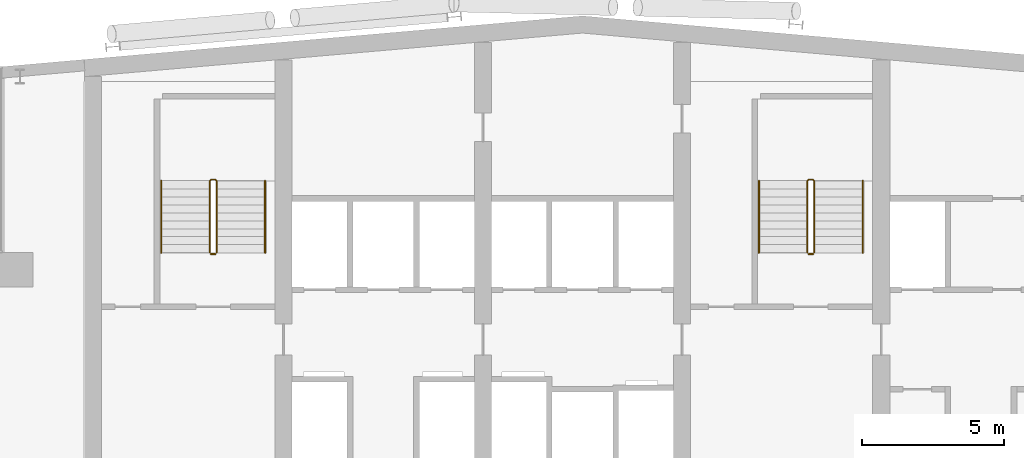
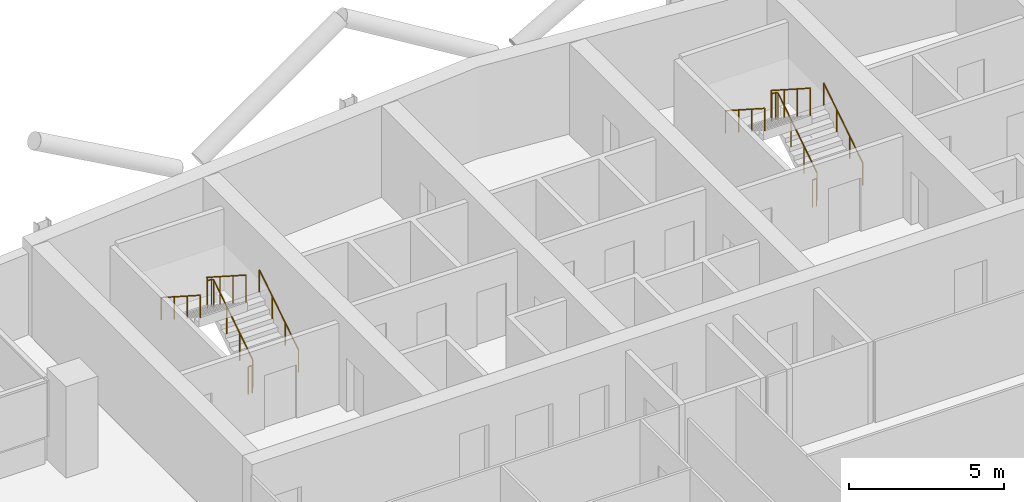
# One storey, part 27 of 27: 8 railings.
"""IFC4 building model written with IfcOpenShell, lengths in metres."""

from ifc_helpers import new_model, si_unit, direction, frame, origin, origin_2d, place, context, subcontext, project, spatial, circle, extrude, material, type_object, element, save


model = new_model("IFC4")

# Units and contexts
model_context = context("Model", 3, precision=1e-05, world=origin(), true_north=direction((0.0, 1.0)))
body_context = subcontext(model_context, "Body", "Model", "MODEL_VIEW")
ifc_project = project(units=[si_unit("LENGTHUNIT", "METRE"), si_unit("AREAUNIT", "SQUARE_METRE"), si_unit("VOLUMEUNIT", "CUBIC_METRE"), si_unit("PLANEANGLEUNIT", "RADIAN"), si_unit("MASSUNIT", "GRAM", prefix="KILO")], contexts=[model_context])

# Site, building, storey
site_placement = place(None, origin())
site = spatial("IfcSite", under=ifc_project, at=site_placement, CompositionType="ELEMENT")
building_placement = place(site_placement, origin())
building = spatial("IfcBuilding", under=site, at=building_placement, Name="Wharfspan Tower", CompositionType="ELEMENT")
storey_placement = place(building_placement, frame((0.0, 0.0, 221.5)))
storey = spatial("IfcBuildingStorey", under=building, at=storey_placement, Name="L55", CompositionType="ELEMENT", Elevation=221.5)

# Railings
ifc_material = material(Name="Steel S355J2", Category="steel")
railing_type_1 = type_object("IfcRailingType", Name="Stair guard 1100", PredefinedType="GUARDRAIL", material=ifc_material)
railing_1_placement = place(storey_placement, frame((27.649902, 42.0, 0.179932)))
element("IfcRailing", 1, at=railing_1_placement, inside=storey, type_object=railing_type_1, Name="L55 ST1 stair guard 1", PredefinedType="GUARDRAIL", context=body_context, shape_type="SweptSolid", body=[
    extrude(circle(Radius=0.023926, at=origin_2d()), frame((0.0, 0.0, 1.076172), z_axis=(0.0, 0.841163, 0.540782), x_axis=(-1.0, 0.0, 0.0)), (0.0, 0.0, 1.0), 2.99585),
    extrude(circle(Radius=0.023926, at=origin_2d()), frame((0.0, 2.52002, 2.696289), z_axis=(-0.705376, 0.708834, 0.0), x_axis=(-0.708834, -0.705376, 0.0)), (0.0, 0.0, 1.0), 0.070557),
    extrude(circle(Radius=0.023926, at=origin_2d()), frame((-0.049805, 2.570068, 2.696289), z_axis=(-1.0, 0.0, 0.0), x_axis=(0.0, -1.0, 0.0)), (0.0, 0.0, 1.0), 0.150146),
    extrude(circle(Radius=0.023926, at=origin_2d()), frame((-0.199951, 2.570068, 2.696289), z_axis=(-0.258848, -0.258848, 0.930589), x_axis=(0.707107, -0.707107, 0.0)), (0.0, 0.0, 1.0), 0.193359),
    extrude(circle(Radius=0.023926, at=origin_2d()), frame((-0.25, 2.52002, 2.875977), z_axis=(0.0, -0.841163, 0.540782), x_axis=(1.0, 0.0, 0.0)), (0.0, 0.0, 1.0), 2.99585),
    extrude(circle(Radius=0.020996, at=origin_2d()), origin(), (0.0, 0.0, 1.0), 1.052002),
    extrude(circle(Radius=0.020996, at=origin_2d()), frame((0.0, 0.840088, 0.540039)), (0.0, 0.0, 1.0), 1.052002),
    extrude(circle(Radius=0.020996, at=origin_2d()), frame((0.0, 1.679932, 1.080078)), (0.0, 0.0, 1.0), 1.052002),
    extrude(circle(Radius=0.020996, at=origin_2d()), frame((0.0, 2.52002, 1.620117)), (0.0, 0.0, 1.0), 1.052002),
    extrude(circle(Radius=0.020996, at=origin_2d()), frame((-0.049805, 2.570068, 1.620117)), (0.0, 0.0, 1.0), 1.052002),
    extrude(circle(Radius=0.020996, at=origin_2d()), frame((-0.199951, 2.570068, 1.620117)), (0.0, 0.0, 1.0), 1.052002),
    extrude(circle(Radius=0.020996, at=origin_2d()), frame((-0.25, 2.52002, 1.800049)), (0.0, 0.0, 1.0), 1.052002),
    extrude(circle(Radius=0.020996, at=origin_2d()), frame((-0.25, 1.679932, 2.340088)), (0.0, 0.0, 1.0), 1.052002),
    extrude(circle(Radius=0.020996, at=origin_2d()), frame((-0.25, 0.840088, 2.880127)), (0.0, 0.0, 1.0), 1.052002),
    extrude(circle(Radius=0.020996, at=origin_2d()), frame((-0.25, 0.0, 3.420166)), (0.0, 0.0, 1.0), 1.052002),
])
railing_2_placement = place(storey_placement, frame((27.600098, 41.949951, 0.0)))
element("IfcRailing", 2, at=railing_2_placement, inside=storey, type_object=railing_type_1, Name="L55 ST1 stair guard 2", PredefinedType="GUARDRAIL", context=body_context, shape_type="SweptSolid", body=[
    extrude(circle(Radius=0.023926, at=origin_2d()), frame((0.0, 0.0, 1.076172), z_axis=(-1.0, 0.0, 0.0), x_axis=(0.0, -1.0, 0.0)), (0.0, 0.0, 1.0), 0.150146),
    extrude(circle(Radius=0.020996, at=origin_2d()), origin(), (0.0, 0.0, 1.0), 1.052002),
    extrude(circle(Radius=0.020996, at=origin_2d()), frame((-0.150146, 0.0, 0.0)), (0.0, 0.0, 1.0), 1.052002),
])
railing_3_placement = place(storey_placement, frame((48.649902, 42.0, 0.179932)))
element("IfcRailing", 3, at=railing_3_placement, inside=storey, type_object=railing_type_1, Name="L55 ST2 stair guard 1", PredefinedType="GUARDRAIL", context=body_context, shape_type="SweptSolid", body=[
    extrude(circle(Radius=0.023926, at=origin_2d()), frame((0.0, 0.0, 1.076172), z_axis=(0.0, 0.841163, 0.540782), x_axis=(-1.0, 0.0, 0.0)), (0.0, 0.0, 1.0), 2.99585),
    extrude(circle(Radius=0.023926, at=origin_2d()), frame((0.0, 2.52002, 2.696289), z_axis=(-0.705376, 0.708834, 0.0), x_axis=(-0.708834, -0.705376, 0.0)), (0.0, 0.0, 1.0), 0.070557),
    extrude(circle(Radius=0.023926, at=origin_2d()), frame((-0.049805, 2.570068, 2.696289), z_axis=(-1.0, 0.0, 0.0), x_axis=(0.0, -1.0, 0.0)), (0.0, 0.0, 1.0), 0.150146),
    extrude(circle(Radius=0.023926, at=origin_2d()), frame((-0.199951, 2.570068, 2.696289), z_axis=(-0.258848, -0.258848, 0.930589), x_axis=(0.707107, -0.707107, 0.0)), (0.0, 0.0, 1.0), 0.193359),
    extrude(circle(Radius=0.023926, at=origin_2d()), frame((-0.25, 2.52002, 2.875977), z_axis=(0.0, -0.841163, 0.540782), x_axis=(1.0, 0.0, 0.0)), (0.0, 0.0, 1.0), 2.99585),
    extrude(circle(Radius=0.020996, at=origin_2d()), origin(), (0.0, 0.0, 1.0), 1.052002),
    extrude(circle(Radius=0.020996, at=origin_2d()), frame((0.0, 0.840088, 0.540039)), (0.0, 0.0, 1.0), 1.052002),
    extrude(circle(Radius=0.020996, at=origin_2d()), frame((0.0, 1.679932, 1.080078)), (0.0, 0.0, 1.0), 1.052002),
    extrude(circle(Radius=0.020996, at=origin_2d()), frame((0.0, 2.52002, 1.620117)), (0.0, 0.0, 1.0), 1.052002),
    extrude(circle(Radius=0.020996, at=origin_2d()), frame((-0.049805, 2.570068, 1.620117)), (0.0, 0.0, 1.0), 1.052002),
    extrude(circle(Radius=0.020996, at=origin_2d()), frame((-0.199951, 2.570068, 1.620117)), (0.0, 0.0, 1.0), 1.052002),
    extrude(circle(Radius=0.020996, at=origin_2d()), frame((-0.25, 2.52002, 1.800049)), (0.0, 0.0, 1.0), 1.052002),
    extrude(circle(Radius=0.020996, at=origin_2d()), frame((-0.25, 1.679932, 2.340088)), (0.0, 0.0, 1.0), 1.052002),
    extrude(circle(Radius=0.020996, at=origin_2d()), frame((-0.25, 0.840088, 2.880127)), (0.0, 0.0, 1.0), 1.052002),
    extrude(circle(Radius=0.020996, at=origin_2d()), frame((-0.25, 0.0, 3.420166)), (0.0, 0.0, 1.0), 1.052002),
])
railing_4_placement = place(storey_placement, frame((48.600098, 41.949951, 0.0)))
element("IfcRailing", 4, at=railing_4_placement, inside=storey, type_object=railing_type_1, Name="L55 ST2 stair guard 2", PredefinedType="GUARDRAIL", context=body_context, shape_type="SweptSolid", body=[
    extrude(circle(Radius=0.023926, at=origin_2d()), frame((0.0, 0.0, 1.076172), z_axis=(-1.0, 0.0, 0.0), x_axis=(0.0, -1.0, 0.0)), (0.0, 0.0, 1.0), 0.150146),
    extrude(circle(Radius=0.020996, at=origin_2d()), origin(), (0.0, 0.0, 1.0), 1.052002),
    extrude(circle(Radius=0.020996, at=origin_2d()), frame((-0.150146, 0.0, 0.0)), (0.0, 0.0, 1.0), 1.052002),
])
railing_type_2 = type_object("IfcRailingType", Name="Stair handrail 900", PredefinedType="HANDRAIL", material=ifc_material)
railing_5_placement = place(storey_placement, frame((29.350098, 42.0, 0.179932)))
element("IfcRailing", 5, at=railing_5_placement, inside=storey, type_object=railing_type_2, Name="L55 ST1 stair handrail 1", PredefinedType="HANDRAIL", context=body_context, shape_type="SweptSolid", body=[
    extrude(circle(Radius=0.023926, at=origin_2d()), frame((0.0, 0.0, 0.875977), z_axis=(0.0, 0.841163, 0.540782), x_axis=(-1.0, 0.0, 0.0)), (0.0, 0.0, 1.0), 2.99585),
    extrude(circle(Radius=0.020996, at=origin_2d()), origin(), (0.0, 0.0, 1.0), 0.851807),
    extrude(circle(Radius=0.020996, at=origin_2d()), frame((0.0, 0.840088, 0.540039)), (0.0, 0.0, 1.0), 0.851807),
    extrude(circle(Radius=0.020996, at=origin_2d()), frame((0.0, 1.679932, 1.080078)), (0.0, 0.0, 1.0), 0.851807),
    extrude(circle(Radius=0.020996, at=origin_2d()), frame((0.0, 2.52002, 1.620117)), (0.0, 0.0, 1.0), 0.851807),
])
railing_6_placement = place(storey_placement, frame((25.699951, 44.52002, 1.97998)))
element("IfcRailing", 6, at=railing_6_placement, inside=storey, type_object=railing_type_2, Name="L55 ST1 stair handrail 2", PredefinedType="HANDRAIL", context=body_context, shape_type="SweptSolid", body=[
    extrude(circle(Radius=0.023926, at=origin_2d()), frame((0.0, 0.0, 0.875977), z_axis=(0.0, -0.841163, 0.540782), x_axis=(1.0, 0.0, 0.0)), (0.0, 0.0, 1.0), 2.99585),
    extrude(circle(Radius=0.020996, at=origin_2d()), origin(), (0.0, 0.0, 1.0), 0.851807),
    extrude(circle(Radius=0.020996, at=origin_2d()), frame((0.0, -0.840088, 0.540039)), (0.0, 0.0, 1.0), 0.851807),
    extrude(circle(Radius=0.020996, at=origin_2d()), frame((0.0, -1.679932, 1.080078)), (0.0, 0.0, 1.0), 0.851807),
    extrude(circle(Radius=0.020996, at=origin_2d()), frame((0.0, -2.52002, 1.620117)), (0.0, 0.0, 1.0), 0.851807),
])
railing_7_placement = place(storey_placement, frame((50.350098, 42.0, 0.179932)))
element("IfcRailing", 7, at=railing_7_placement, inside=storey, type_object=railing_type_2, Name="L55 ST2 stair handrail 1", PredefinedType="HANDRAIL", context=body_context, shape_type="SweptSolid", body=[
    extrude(circle(Radius=0.023926, at=origin_2d()), frame((0.0, 0.0, 0.875977), z_axis=(0.0, 0.841163, 0.540782), x_axis=(-1.0, 0.0, 0.0)), (0.0, 0.0, 1.0), 2.99585),
    extrude(circle(Radius=0.020996, at=origin_2d()), origin(), (0.0, 0.0, 1.0), 0.851807),
    extrude(circle(Radius=0.020996, at=origin_2d()), frame((0.0, 0.840088, 0.540039)), (0.0, 0.0, 1.0), 0.851807),
    extrude(circle(Radius=0.020996, at=origin_2d()), frame((0.0, 1.679932, 1.080078)), (0.0, 0.0, 1.0), 0.851807),
    extrude(circle(Radius=0.020996, at=origin_2d()), frame((0.0, 2.52002, 1.620117)), (0.0, 0.0, 1.0), 0.851807),
])
railing_8_placement = place(storey_placement, frame((46.699951, 44.52002, 1.97998)))
element("IfcRailing", 8, at=railing_8_placement, inside=storey, type_object=railing_type_2, Name="L55 ST2 stair handrail 2", PredefinedType="HANDRAIL", context=body_context, shape_type="SweptSolid", body=[
    extrude(circle(Radius=0.023926, at=origin_2d()), frame((0.0, 0.0, 0.875977), z_axis=(0.0, -0.841163, 0.540782), x_axis=(1.0, 0.0, 0.0)), (0.0, 0.0, 1.0), 2.99585),
    extrude(circle(Radius=0.020996, at=origin_2d()), origin(), (0.0, 0.0, 1.0), 0.851807),
    extrude(circle(Radius=0.020996, at=origin_2d()), frame((0.0, -0.840088, 0.540039)), (0.0, 0.0, 1.0), 0.851807),
    extrude(circle(Radius=0.020996, at=origin_2d()), frame((0.0, -1.679932, 1.080078)), (0.0, 0.0, 1.0), 0.851807),
    extrude(circle(Radius=0.020996, at=origin_2d()), frame((0.0, -2.52002, 1.620117)), (0.0, 0.0, 1.0), 0.851807),
])

save(model, "model.ifc")
